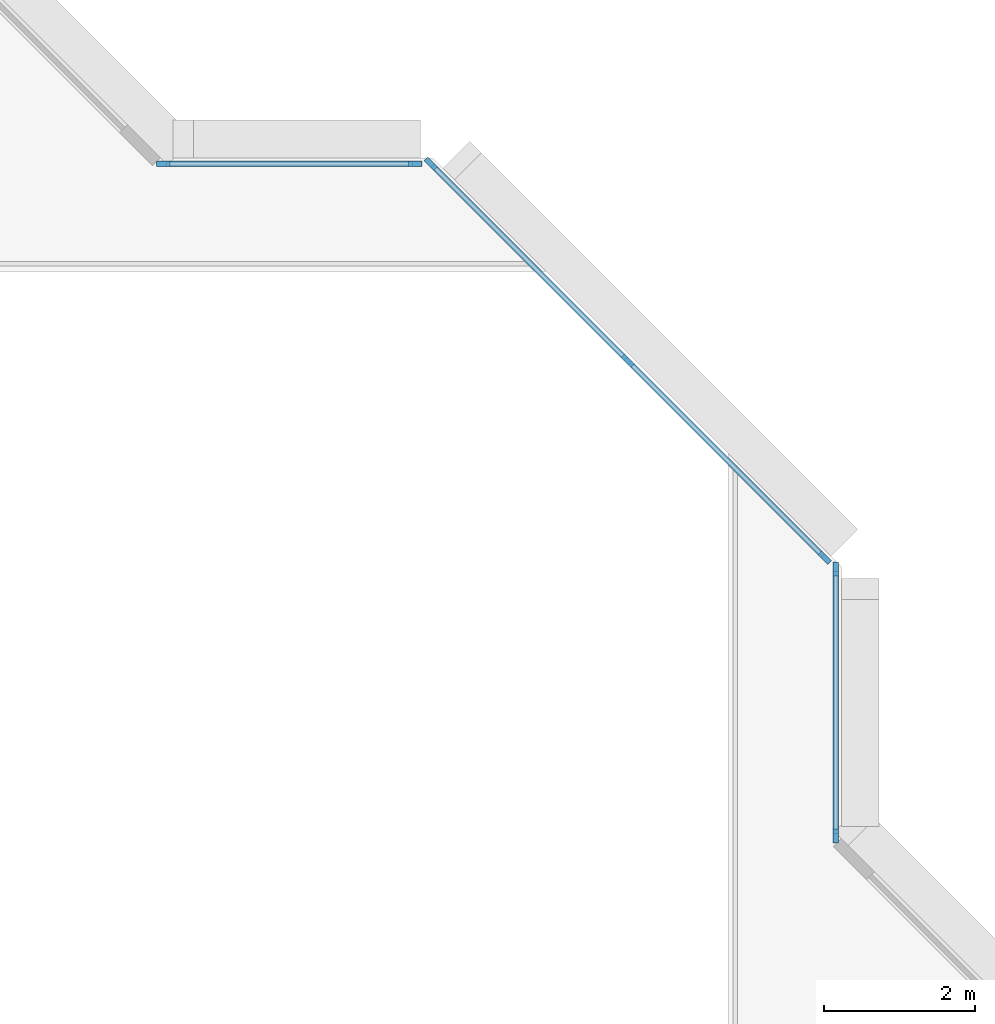
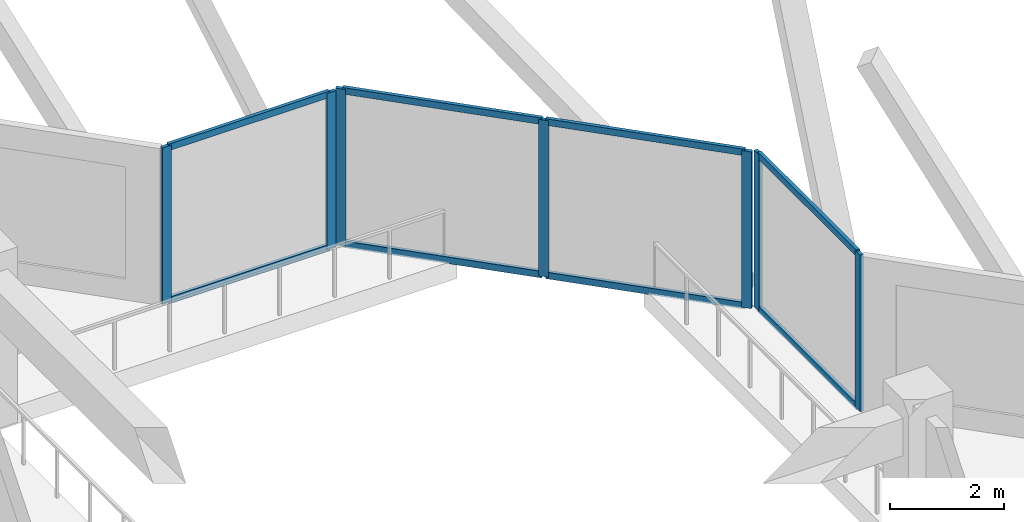
# One storey, part 2 of 14: 15 members, 3 elements without a shape of their own.
"""IFC4 building model written with IfcOpenShell, lengths in metres."""

from ifc_helpers import new_model, si_unit, direction, frame, origin, origin_2d, place, context, subcontext, project, spatial, rectangle, extrude, material, layer, layer_set, material_profile, profile_set, type_object, element, aggregate, save


model = new_model("IFC4")

# Units and contexts
model_context = context("Model", 3, precision=1e-05, world=origin(), true_north=direction((0.0, 1.0)))
body_context = subcontext(model_context, "Body", "Model", "MODEL_VIEW")
ifc_project = project(units=[si_unit("LENGTHUNIT", "METRE"), si_unit("AREAUNIT", "SQUARE_METRE"), si_unit("VOLUMEUNIT", "CUBIC_METRE"), si_unit("PLANEANGLEUNIT", "RADIAN"), si_unit("MASSUNIT", "GRAM", prefix="KILO")], contexts=[model_context])

# Site, building, storey
site_placement = place(None, origin())
site = spatial("IfcSite", under=ifc_project, at=site_placement, CompositionType="ELEMENT")
building_placement = place(site_placement, origin())
building = spatial("IfcBuilding", under=site, at=building_placement, Name="Chenar Terraces", CompositionType="ELEMENT")
storey_placement = place(building_placement, frame((0.0, 0.0, 164.89990234375)))
storey = spatial("IfcBuildingStorey", under=building, at=storey_placement, Name="L37", CompositionType="ELEMENT", Elevation=164.89990234375)

# Curtain wall, members
ifc_material_1 = material(Name="Aluminium framed glazing", Category="aluminium")
ifc_layer = layer(ifc_material_1, 0.14990234375)
ifc_layer_set = layer_set([ifc_layer], Name="Aluminium framed glazing")
curtain_wall_type = type_object("IfcCurtainWallType", Name="Atrium mid-zone curtain wall", PredefinedType="NOTDEFINED", material=ifc_layer_set)
placement = place(storey_placement, origin())
curtain_wall_1 = element("IfcCurtainWall", 1, at=placement, inside=storey, type_object=curtain_wall_type, Name="Atrium mid-zone curtain wall", PredefinedType="NOTDEFINED")
ifc_material_2 = material(Name="Aluminium", Category="aluminium")
ifc_material_profile_1 = material_profile(ifc_material_2, rectangle(XDim=0.070068359375, YDim=0.179931640625, at=origin_2d()), Name="Atrium mid-zone glazing mullion 70 x 180")
ifc_profile_set_1 = profile_set([ifc_material_profile_1], Name="Aluminium")
member_type_1 = type_object("IfcMemberType", Name="Atrium mid-zone glazing mullion 70 x 180", PredefinedType="MULLION", material=ifc_profile_set_1)
member_1_placement = place(storey_placement, frame((37.425048828125, 28.534912109375, 0.0), z_axis=(0.0, 0.0, 1.0), x_axis=(-1.0, 0.0, 0.0)))
member_1 = element("IfcMember", 2, at=member_1_placement, type_object=member_type_1, Name="CW7-1 mullion 1", PredefinedType="MULLION", context=body_context, shape_type="SweptSolid", body=[
    extrude(rectangle(XDim=0.070068359375, YDim=0.179931640625, at=origin_2d()), origin(), (0.0, 0.0, 1.0), 3.35009765625),
])
member_2_placement = place(storey_placement, frame((37.425048828125, 32.06494140625, 0.0), z_axis=(0.0, 0.0, 1.0), x_axis=(-1.0, 0.0, 0.0)))
member_2 = element("IfcMember", 3, at=member_2_placement, type_object=member_type_1, Name="CW7-1 mullion 2", PredefinedType="MULLION", context=body_context, shape_type="SweptSolid", body=[
    extrude(rectangle(XDim=0.070068359375, YDim=0.179931640625, at=origin_2d()), origin(), (0.0, 0.0, 1.0), 3.35009765625),
])

curtain_wall_2 = element("IfcCurtainWall", 4, at=placement, inside=storey, type_object=curtain_wall_type, Name="Atrium mid-zone curtain wall", PredefinedType="NOTDEFINED")
member_3_placement = place(storey_placement, frame((37.28076171875, 32.213134765625, 0.0), z_axis=(0.0, 0.0, 1.0), x_axis=(-0.707106781187, -0.707106781187, 0.0)))
member_3 = element("IfcMember", 5, at=member_3_placement, type_object=member_type_1, Name="CW7-2 mullion 1", PredefinedType="MULLION", context=body_context, shape_type="SweptSolid", body=[
    extrude(rectangle(XDim=0.070068359375, YDim=0.179931640625, at=origin_2d()), origin(), (0.0, 0.0, 1.0), 3.35009765625),
])
member_4_placement = place(storey_placement, frame((34.67626953125, 34.817626953125, 0.0), z_axis=(0.0, 0.0, 1.0), x_axis=(-0.707106781187, -0.707106781187, 0.0)))
member_4 = element("IfcMember", 6, at=member_4_placement, type_object=member_type_1, Name="CW7-2 mullion 2", PredefinedType="MULLION", context=body_context, shape_type="SweptSolid", body=[
    extrude(rectangle(XDim=0.070068359375, YDim=0.179931640625, at=origin_2d()), origin(), (0.0, 0.0, 1.0), 3.35009765625),
])
member_5_placement = place(storey_placement, frame((32.07177734375, 37.42236328125, 0.0), z_axis=(0.0, 0.0, 1.0), x_axis=(-0.707106781187, -0.707106781187, 0.0)))
member_5 = element("IfcMember", 7, at=member_5_placement, type_object=member_type_1, Name="CW7-2 mullion 3", PredefinedType="MULLION", context=body_context, shape_type="SweptSolid", body=[
    extrude(rectangle(XDim=0.070068359375, YDim=0.179931640625, at=origin_2d()), origin(), (0.0, 0.0, 1.0), 3.35009765625),
])

curtain_wall_3 = element("IfcCurtainWall", 8, at=placement, inside=storey, type_object=curtain_wall_type, Name="Atrium mid-zone curtain wall", PredefinedType="NOTDEFINED")
member_6_placement = place(storey_placement, frame((31.864990234375, 37.425048828125, 0.0), z_axis=(0.0, 0.0, 1.0), x_axis=(0.0, -1.0, 0.0)))
member_6 = element("IfcMember", 9, at=member_6_placement, type_object=member_type_1, Name="CW7-3 mullion 1", PredefinedType="MULLION", context=body_context, shape_type="SweptSolid", body=[
    extrude(rectangle(XDim=0.070068359375, YDim=0.179931640625, at=origin_2d()), origin(), (0.0, 0.0, 1.0), 3.35009765625),
])
member_7_placement = place(storey_placement, frame((28.534912109375, 37.425048828125, 0.0), z_axis=(0.0, 0.0, 1.0), x_axis=(0.0, -1.0, 0.0)))
member_7 = element("IfcMember", 10, at=member_7_placement, type_object=member_type_1, Name="CW7-3 mullion 2", PredefinedType="MULLION", context=body_context, shape_type="SweptSolid", body=[
    extrude(rectangle(XDim=0.070068359375, YDim=0.179931640625, at=origin_2d()), origin(), (0.0, 0.0, 1.0), 3.35009765625),
])

# Member
ifc_material_3 = material(Name="Aluminium", Category="aluminium")
ifc_material_profile_2 = material_profile(ifc_material_3, rectangle(XDim=0.070068359375, YDim=0.139892578125, at=origin_2d()), Name="Atrium mid-zone glazing transom 70 x 140")
ifc_profile_set_2 = profile_set([ifc_material_profile_2], Name="Aluminium")
member_type_2 = type_object("IfcMemberType", Name="Atrium mid-zone glazing transom 70 x 140", PredefinedType="USERDEFINED", material=ifc_profile_set_2)
member_8_placement = place(storey_placement, frame((37.425048828125, 28.570068359375, 0.03515625), z_axis=(0.0, 1.0, 0.0), x_axis=(-1.0, 0.0, 0.0)))
member_8 = element("IfcMember", 11, at=member_8_placement, type_object=member_type_2, Name="CW7-1 transom 1.1", ObjectType="TRANSOM", PredefinedType="USERDEFINED", context=body_context, shape_type="SweptSolid", body=[
    extrude(rectangle(XDim=0.070068359375, YDim=0.139892578125, at=origin_2d()), origin(), (0.0, 0.0, 1.0), 3.4599609375),
])

member_9_placement = place(storey_placement, frame((37.425048828125, 28.570068359375, 3.315185546875), z_axis=(0.0, 1.0, 0.0), x_axis=(-1.0, 0.0, 0.0)))
member_9 = element("IfcMember", 12, at=member_9_placement, type_object=member_type_2, Name="CW7-1 transom 1.2", ObjectType="TRANSOM", PredefinedType="USERDEFINED", context=body_context, shape_type="SweptSolid", body=[
    extrude(rectangle(XDim=0.070068359375, YDim=0.139892578125, at=origin_2d()), origin(), (0.0, 0.0, 1.0), 3.4599609375),
])

aggregate(curtain_wall_1, [member_1, member_2, member_8, member_9])

member_10_placement = place(storey_placement, frame((37.256103515625, 32.23779296875, 0.03515625), z_axis=(-0.707106781187, 0.707106781187, 0.0), x_axis=(-0.707106781187, -0.707106781187, 0.0)))
member_10 = element("IfcMember", 13, at=member_10_placement, type_object=member_type_2, Name="CW7-2 transom 1.1", ObjectType="TRANSOM", PredefinedType="USERDEFINED", context=body_context, shape_type="SweptSolid", body=[
    extrude(rectangle(XDim=0.070068359375, YDim=0.139892578125, at=origin_2d()), origin(), (0.0, 0.0, 1.0), 3.613525390625),
])

member_11_placement = place(storey_placement, frame((37.256103515625, 32.23779296875, 3.315185546875), z_axis=(-0.707106781187, 0.707106781187, 0.0), x_axis=(-0.707106781187, -0.707106781187, 0.0)))
member_11 = element("IfcMember", 14, at=member_11_placement, type_object=member_type_2, Name="CW7-2 transom 1.2", ObjectType="TRANSOM", PredefinedType="USERDEFINED", context=body_context, shape_type="SweptSolid", body=[
    extrude(rectangle(XDim=0.070068359375, YDim=0.139892578125, at=origin_2d()), origin(), (0.0, 0.0, 1.0), 3.613525390625),
])

member_12_placement = place(storey_placement, frame((34.651611328125, 34.842529296875, 0.03515625), z_axis=(-0.707140563131, 0.707072997628, 0.0), x_axis=(-0.707072997628, -0.707140563131, 0.0)))
member_12 = element("IfcMember", 15, at=member_12_placement, type_object=member_type_2, Name="CW7-2 transom 2.1", ObjectType="TRANSOM", PredefinedType="USERDEFINED", context=body_context, shape_type="SweptSolid", body=[
    extrude(rectangle(XDim=0.070068359375, YDim=0.139892578125, at=origin_2d()), origin(), (0.0, 0.0, 1.0), 3.61328125),
])

member_13_placement = place(storey_placement, frame((34.651611328125, 34.842529296875, 3.315185546875), z_axis=(-0.707140563131, 0.707072997628, 0.0), x_axis=(-0.707072997628, -0.707140563131, 0.0)))
member_13 = element("IfcMember", 16, at=member_13_placement, type_object=member_type_2, Name="CW7-2 transom 2.2", ObjectType="TRANSOM", PredefinedType="USERDEFINED", context=body_context, shape_type="SweptSolid", body=[
    extrude(rectangle(XDim=0.070068359375, YDim=0.139892578125, at=origin_2d()), origin(), (0.0, 0.0, 1.0), 3.61328125),
])

aggregate(curtain_wall_2, [member_3, member_4, member_5, member_10, member_11, member_12, member_13])

member_14_placement = place(storey_placement, frame((31.830078125, 37.425048828125, 0.03515625), z_axis=(-1.0, 0.0, 0.0), x_axis=(0.0, -1.0, 0.0)))
member_14 = element("IfcMember", 17, at=member_14_placement, type_object=member_type_2, Name="CW7-3 transom 1.1", ObjectType="TRANSOM", PredefinedType="USERDEFINED", context=body_context, shape_type="SweptSolid", body=[
    extrude(rectangle(XDim=0.070068359375, YDim=0.139892578125, at=origin_2d()), origin(), (0.0, 0.0, 1.0), 3.260009765625),
])

member_15_placement = place(storey_placement, frame((31.830078125, 37.425048828125, 3.315185546875), z_axis=(-1.0, 0.0, 0.0), x_axis=(0.0, -1.0, 0.0)))
member_15 = element("IfcMember", 18, at=member_15_placement, type_object=member_type_2, Name="CW7-3 transom 1.2", ObjectType="TRANSOM", PredefinedType="USERDEFINED", context=body_context, shape_type="SweptSolid", body=[
    extrude(rectangle(XDim=0.070068359375, YDim=0.139892578125, at=origin_2d()), origin(), (0.0, 0.0, 1.0), 3.260009765625),
])

aggregate(curtain_wall_3, [member_6, member_7, member_14, member_15])

save(model, "model.ifc")
